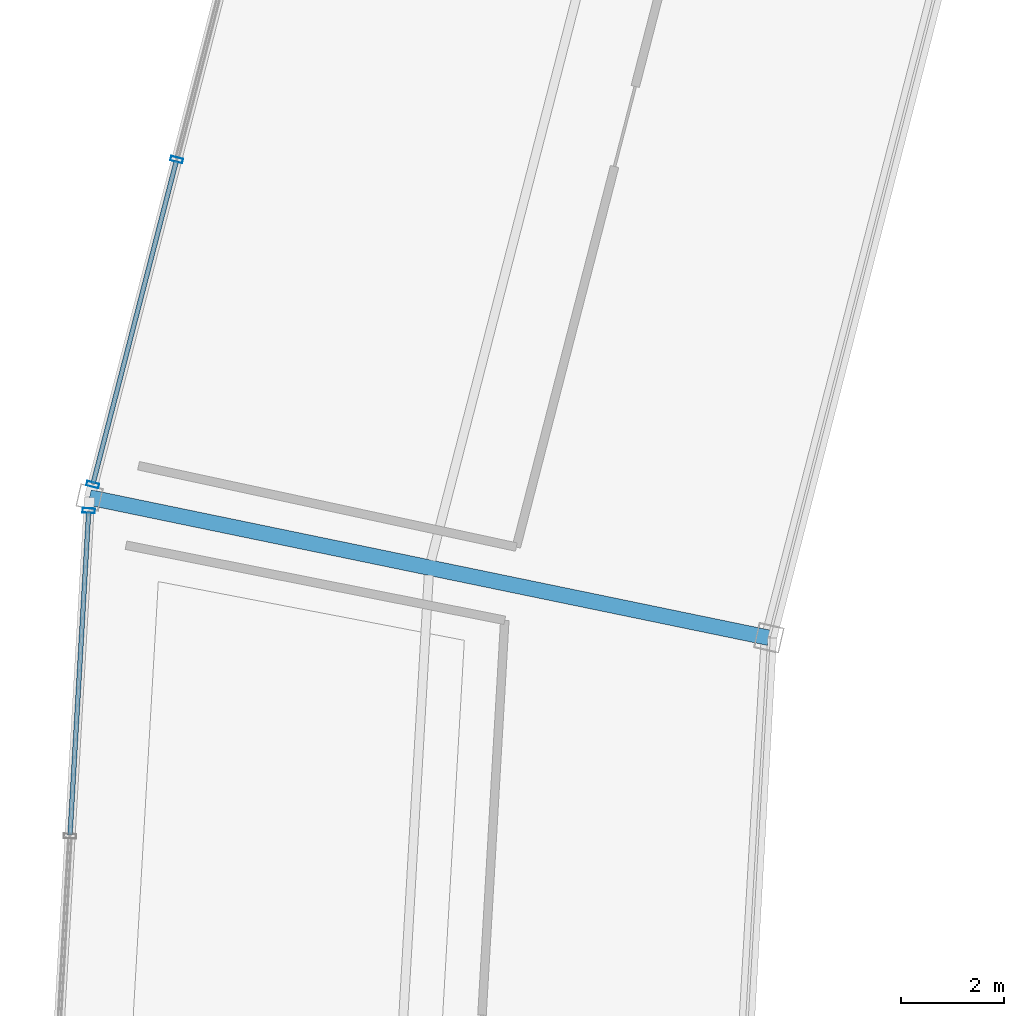
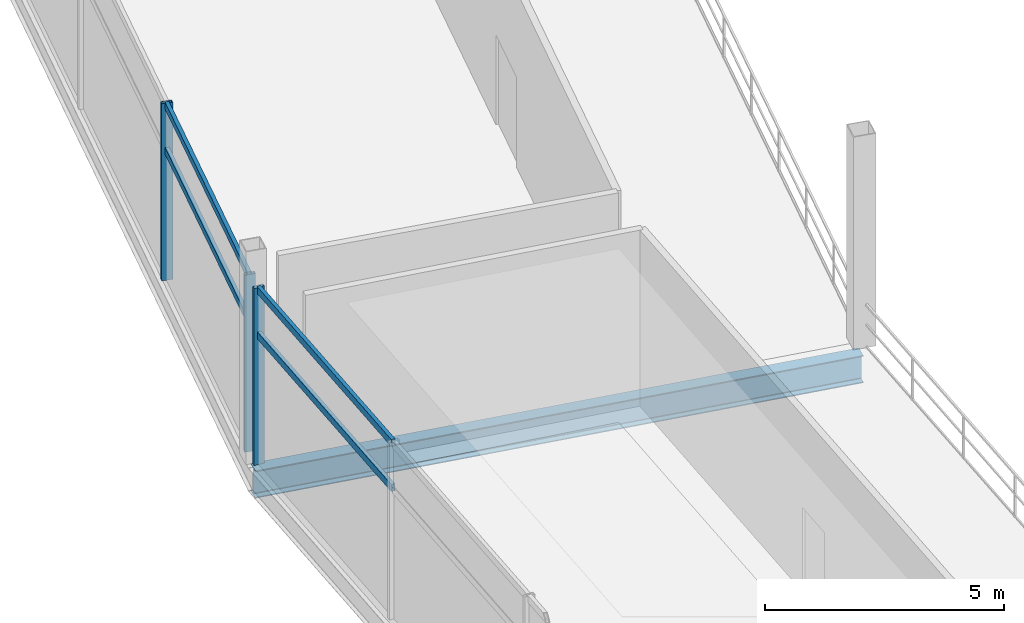
# One storey, part 39 of 103: 7 members, 1 beam, 2 elements without a shape of their own.
"""IFC4 building model written with IfcOpenShell, lengths in metres."""

from ifc_helpers import new_model, si_unit, direction, frame, origin, origin_2d, place, context, subcontext, project, spatial, hollow_rectangle, i_section, extrude, material, layer, layer_set, material_profile, profile_set, type_object, element, aggregate, save


model = new_model("IFC4")

# Units and contexts
model_context = context("Model", 3, precision=1e-05, world=origin(), true_north=direction((0.0, 1.0)))
body_context = subcontext(model_context, "Body", "Model", "MODEL_VIEW")
ifc_project = project(units=[si_unit("LENGTHUNIT", "METRE"), si_unit("AREAUNIT", "SQUARE_METRE"), si_unit("VOLUMEUNIT", "CUBIC_METRE"), si_unit("PLANEANGLEUNIT", "RADIAN"), si_unit("MASSUNIT", "GRAM", prefix="KILO")], contexts=[model_context])

# Site, building, storey
site_placement = place(None, origin())
site = spatial("IfcSite", under=ifc_project, at=site_placement, CompositionType="ELEMENT")
building_placement = place(site_placement, origin())
building = spatial("IfcBuilding", under=site, at=building_placement, Name="Kazemori Nagisa Stadium", CompositionType="ELEMENT")
storey_placement = place(building_placement, frame((0.0, 0.0, 25.840087890625)))
storey = spatial("IfcBuildingStorey", under=building, at=storey_placement, Name="L05", CompositionType="ELEMENT", Elevation=25.840087890625)

# Beam
ifc_material_1 = material(Name="Steel SN490B", Category="steel")
ifc_material_profile_1 = material_profile(ifc_material_1, i_section(OverallWidth=0.300048828125, OverallDepth=0.699951171875, WebThickness=0.012939453125, FlangeThickness=0.02392578125, FilletRadius=0.01806640625, at=origin_2d()), Name="H-700x300x13x24")
ifc_profile_set_1 = profile_set([ifc_material_profile_1], Name="Steel SN490B")
beam_type = type_object("IfcBeamType", Name="Beam_BG-H700", PredefinedType="BEAM", material=ifc_profile_set_1)
beam_placement = place(storey_placement, frame((42.262451171875, 118.68212890625, -0.610107421875), z_axis=(-0.979315516463, 0.202339119339, 0.0), x_axis=(-0.202339119339, -0.979315516463, 0.0)))
element("IfcBeam", 1, at=beam_placement, inside=storey, type_object=beam_type, Name="Radial girder BG-H700 L05 R2-R3-14", PredefinedType="BEAM", context=body_context, shape_type="SweptSolid", body=[
    extrude(i_section(OverallWidth=0.300048828125, OverallDepth=0.699951171875, WebThickness=0.012939453125, FlangeThickness=0.02392578125, FilletRadius=0.01806640625, at=origin_2d()), origin(), (0.0, 0.0, 1.0), 13.4208984375),
])

# Curtain wall, members
ifc_material_2 = material(Name="Anodised aluminium 6063-T5", Category="aluminium")
ifc_layer_1 = layer(ifc_material_2, 0.239990234375, Name="Anodised aluminium 6063-T5", Category="aluminium")
ifc_layer_set_1 = layer_set([ifc_layer_1], Name="Anodised aluminium 6063-T5")
curtain_wall_type_1 = type_object("IfcCurtainWallType", Name="CW_L05R3_98", PredefinedType="USERDEFINED", material=ifc_layer_set_1)
curtain_wall_1_placement = place(storey_placement, origin())
curtain_wall_1 = element("IfcCurtainWall", 2, at=curtain_wall_1_placement, inside=storey, type_object=curtain_wall_type_1, Name="Unitised curtain wall CW-L05R3-98 L05", ObjectType="UNITISED CURTAIN WALL", PredefinedType="USERDEFINED")
ifc_material_3 = material(Name="Aluminium 6063-T5 anodised", Category="aluminium")
ifc_material_profile_2 = material_profile(ifc_material_3, hollow_rectangle(XDim=0.090087890625, YDim=0.239990234375, WallThickness=0.0048828125, at=origin_2d()), Name="ALU-MULL-90x240x5")
ifc_profile_set_2 = profile_set([ifc_material_profile_2], Name="Aluminium 6063-T5 anodised")
member_type_1 = type_object("IfcMemberType", Name="Mullion_M03", PredefinedType="MULLION", material=ifc_profile_set_2)
member_1_placement = place(storey_placement, frame((30.8056640625, 127.9306640625, 0.0), z_axis=(0.0, 0.0, 1.0), x_axis=(-0.249964642418, -0.968254965152, 0.0)))
member_1 = element("IfcMember", 3, at=member_1_placement, type_object=member_type_1, Name="Curtain wall mullion CW-L05R3-98-M3", PredefinedType="MULLION", context=body_context, shape_type="SweptSolid", body=[
    extrude(hollow_rectangle(XDim=0.090087890625, YDim=0.239990234375, WallThickness=0.0048828125, at=origin_2d()), origin(), (0.0, 0.0, 1.0), 4.530029296875),
])
member_2_placement = place(storey_placement, frame((29.182861328125, 121.64453125, 0.0), z_axis=(0.0, 0.0, 1.0), x_axis=(-0.249964642418, -0.968254965152, 0.0)))
member_2 = element("IfcMember", 4, at=member_2_placement, type_object=member_type_1, Name="Curtain wall mullion CW-L05R3-98-M4", PredefinedType="MULLION", context=body_context, shape_type="SweptSolid", body=[
    extrude(hollow_rectangle(XDim=0.090087890625, YDim=0.239990234375, WallThickness=0.0048828125, at=origin_2d()), origin(), (0.0, 0.0, 1.0), 4.530029296875),
])

# Curtain wall, member
ifc_layer_2 = layer(ifc_material_2, 0.239990234375, Name="Anodised aluminium 6063-T5", Category="aluminium")
ifc_layer_set_2 = layer_set([ifc_layer_2], Name="Anodised aluminium 6063-T5")
curtain_wall_type_2 = type_object("IfcCurtainWallType", Name="CW_L05R3_95", PredefinedType="USERDEFINED", material=ifc_layer_set_2)
curtain_wall_2_placement = place(storey_placement, origin())
curtain_wall_2 = element("IfcCurtainWall", 5, at=curtain_wall_2_placement, inside=storey, type_object=curtain_wall_type_2, Name="Unitised curtain wall CW-L05R3-95 L05", ObjectType="UNITISED CURTAIN WALL", PredefinedType="USERDEFINED")
member_3_placement = place(storey_placement, frame((29.1044921875, 121.14306640625, 0.0), z_axis=(0.0, 0.0, 1.0), x_axis=(-0.057601670941, -0.998339645364, 0.0)))
member_3 = element("IfcMember", 6, at=member_3_placement, type_object=member_type_1, Name="Curtain wall mullion CW-L05R3-95-M1", PredefinedType="MULLION", context=body_context, shape_type="SweptSolid", body=[
    extrude(hollow_rectangle(XDim=0.090087890625, YDim=0.239990234375, WallThickness=0.0048828125, at=origin_2d()), origin(), (0.0, 0.0, 1.0), 4.530029296875),
])

# Member
ifc_material_profile_3 = material_profile(ifc_material_3, hollow_rectangle(XDim=0.090087890625, YDim=0.179931640625, WallThickness=0.0048828125, at=origin_2d()), Name="ALU-TRAN-90x180x5")
ifc_profile_set_3 = profile_set([ifc_material_profile_3], Name="Aluminium 6063-T5 anodised")
member_type_2 = type_object("IfcMemberType", Name="Transom_T03", PredefinedType="USERDEFINED", material=ifc_profile_set_3)
member_4_placement = place(storey_placement, frame((30.80078125, 127.9111328125, 3.306884765625), z_axis=(-0.249971861357, -0.968253101482, 0.0), x_axis=(0.968253101482, -0.249971861357, 0.0)))
member_4 = element("IfcMember", 7, at=member_4_placement, type_object=member_type_2, Name="Curtain wall transom CW-L05R3-98-T3-mid", ObjectType="TRANSOM", PredefinedType="USERDEFINED", context=body_context, shape_type="SweptSolid", body=[
    extrude(hollow_rectangle(XDim=0.090087890625, YDim=0.179931640625, WallThickness=0.0048828125, at=origin_2d()), origin(), (0.0, 0.0, 1.0), 6.451904296875),
])

member_5_placement = place(storey_placement, frame((30.80078125, 127.9111328125, 4.4599609375), z_axis=(-0.249971861357, -0.968253101482, 0.0), x_axis=(0.968253101482, -0.249971861357, 0.0)))
member_5 = element("IfcMember", 8, at=member_5_placement, type_object=member_type_2, Name="Curtain wall transom CW-L05R3-98-T3-head", ObjectType="TRANSOM", PredefinedType="USERDEFINED", context=body_context, shape_type="SweptSolid", body=[
    extrude(hollow_rectangle(XDim=0.090087890625, YDim=0.179931640625, WallThickness=0.0048828125, at=origin_2d()), origin(), (0.0, 0.0, 1.0), 6.451904296875),
])

aggregate(curtain_wall_1, [member_1, member_2, member_4, member_5])

member_6_placement = place(storey_placement, frame((29.103271484375, 121.123046875, 3.306884765625), z_axis=(-0.057582347061, -0.998340760115, 0.0), x_axis=(0.998340760115, -0.057582347061, 0.0)))
member_6 = element("IfcMember", 9, at=member_6_placement, type_object=member_type_2, Name="Curtain wall transom CW-L05R3-95-T1-mid", ObjectType="TRANSOM", PredefinedType="USERDEFINED", context=body_context, shape_type="SweptSolid", body=[
    extrude(hollow_rectangle(XDim=0.090087890625, YDim=0.179931640625, WallThickness=0.0048828125, at=origin_2d()), origin(), (0.0, 0.0, 1.0), 6.2666015625),
])

member_7_placement = place(storey_placement, frame((29.103271484375, 121.123046875, 4.4599609375), z_axis=(-0.057582347061, -0.998340760115, 0.0), x_axis=(0.998340760115, -0.057582347061, 0.0)))
member_7 = element("IfcMember", 10, at=member_7_placement, type_object=member_type_2, Name="Curtain wall transom CW-L05R3-95-T1-head", ObjectType="TRANSOM", PredefinedType="USERDEFINED", context=body_context, shape_type="SweptSolid", body=[
    extrude(hollow_rectangle(XDim=0.090087890625, YDim=0.179931640625, WallThickness=0.0048828125, at=origin_2d()), origin(), (0.0, 0.0, 1.0), 6.2666015625),
])

aggregate(curtain_wall_2, [member_3, member_6, member_7])

save(model, "model.ifc")
